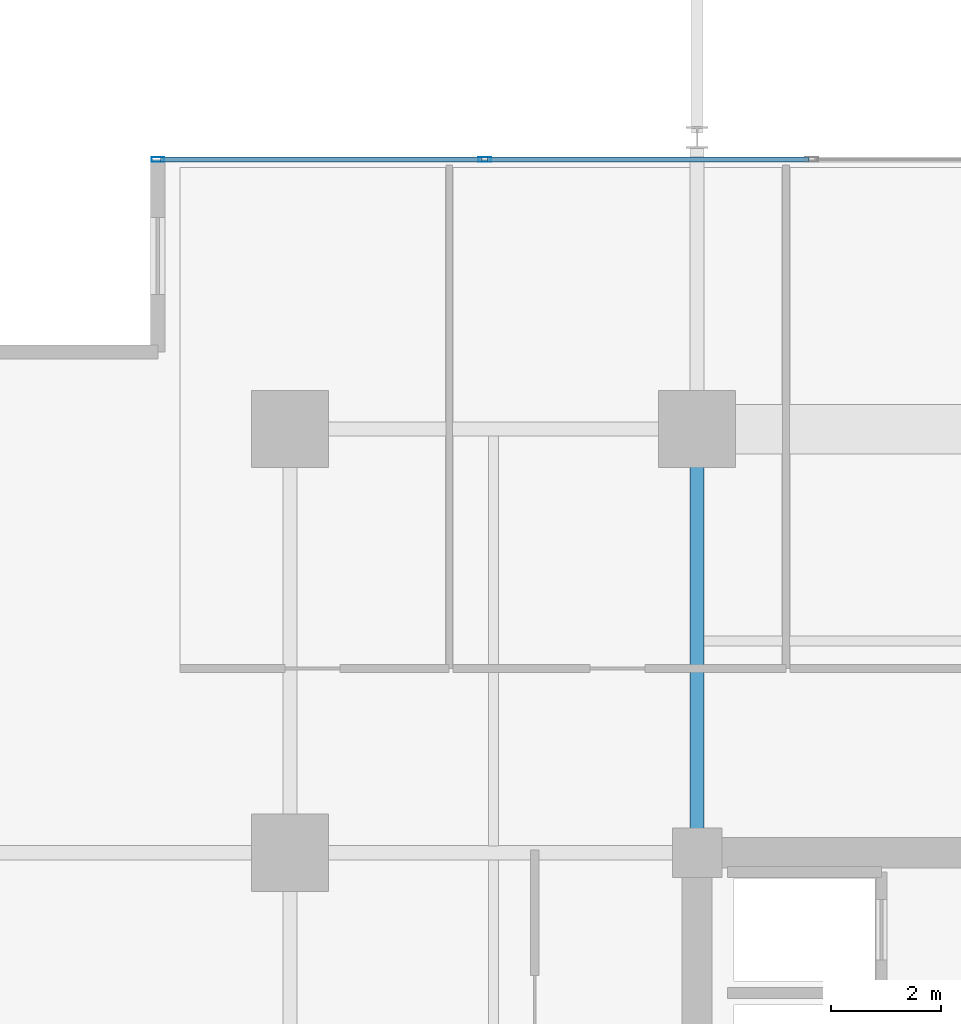
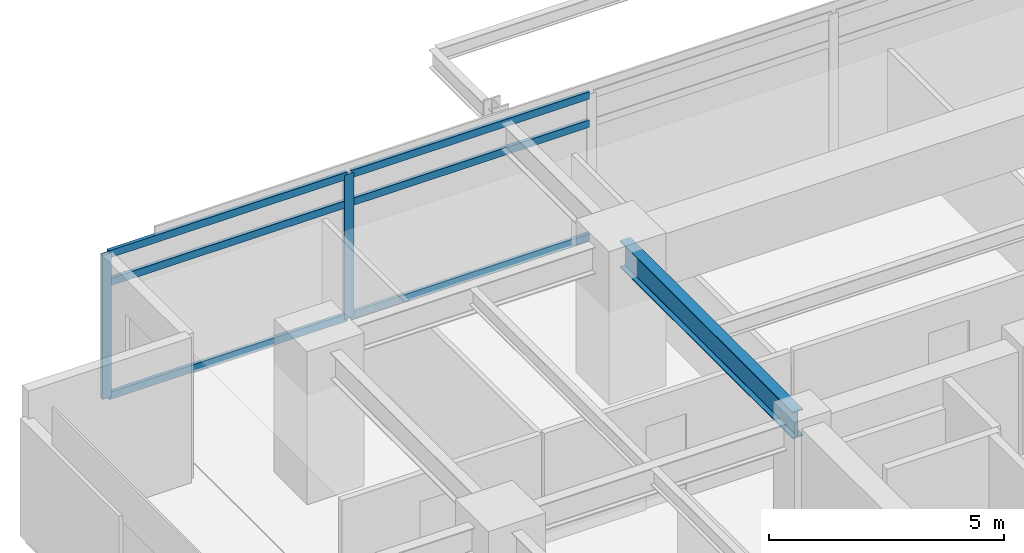
# One storey, part 8 of 21: 8 members, 1 beam, 1 element without a shape of its own.
"""IFC4 building model written with IfcOpenShell, lengths in metres."""

from ifc_helpers import new_model, si_unit, direction, frame, origin, origin_2d, place, context, subcontext, project, spatial, hollow_rectangle, i_section, extrude, material, material_profile, profile_set, type_object, element, aggregate, save


model = new_model("IFC4")

# Units and contexts
model_context = context("Model", 3, precision=1e-05, world=origin(), true_north=direction((0.0, 1.0)))
body_context = subcontext(model_context, "Body", "Model", "MODEL_VIEW")
ifc_project = project(units=[si_unit("LENGTHUNIT", "METRE"), si_unit("AREAUNIT", "SQUARE_METRE"), si_unit("VOLUMEUNIT", "CUBIC_METRE"), si_unit("PLANEANGLEUNIT", "RADIAN"), si_unit("MASSUNIT", "GRAM", prefix="KILO")], contexts=[model_context])

# Site, building, storey
site_placement = place(None, origin())
site = spatial("IfcSite", under=ifc_project, at=site_placement, CompositionType="ELEMENT")
building_placement = place(site_placement, origin())
building = spatial("IfcBuilding", under=site, at=building_placement, Name="Kovane Verandah Tower", CompositionType="ELEMENT")
storey_placement = place(building_placement, frame((0.0, 0.0, 205.199951171875)))
storey = spatial("IfcBuildingStorey", under=building, at=storey_placement, Name="L47", CompositionType="ELEMENT", Elevation=205.199951171875)

# Beam
ifc_material_1 = material(Name="Steel S355", Category="steel")
ifc_material_profile_1 = material_profile(ifc_material_1, i_section(OverallWidth=0.255859375, OverallDepth=0.69287109375, WebThickness=0.014404296875, FlangeThickness=0.023681640625, FilletRadius=0.01513671875, at=origin_2d()), Name="UB686x254x170")
ifc_profile_set_1 = profile_set([ifc_material_profile_1], Name="Steel S355")
beam_type = type_object("IfcBeamType", Name="BM-UB686x170", PredefinedType="BEAM", material=ifc_profile_set_1)
beam_placement = place(storey_placement, frame((29.0, 36.679931640625, 3.428466796875), z_axis=(0.0, 1.0, 0.0), x_axis=(-1.0, 0.0, 0.0)))
element("IfcBeam", 1, at=beam_placement, inside=storey, type_object=beam_type, Name="L47 Primary Tower Girder G-N1", PredefinedType="BEAM", context=body_context, shape_type="SweptSolid", body=[
    extrude(i_section(OverallWidth=0.255859375, OverallDepth=0.69287109375, WebThickness=0.014404296875, FlangeThickness=0.023681640625, FilletRadius=0.01513671875, at=origin_2d()), origin(), (0.0, 0.0, 1.0), 7.340087890625),
])

# Curtain wall, members
ifc_material_2 = material(Name="Champagne Anodised Aluminium Frame with Low-E Clear Laminated Glass", Category="aluminium")
curtain_wall_type = type_object("IfcCurtainWallType", Name="CW-SYS-03-MID", PredefinedType="NOTDEFINED", material=ifc_material_2)
curtain_wall_placement = place(storey_placement, origin())
curtain_wall = element("IfcCurtainWall", 2, at=curtain_wall_placement, inside=storey, type_object=curtain_wall_type, Name="L47 N Unitised Curtain Wall", PredefinedType="NOTDEFINED")
ifc_material_3 = material(Name="Champagne Anodised Aluminium 6063-T6", Category="aluminium")
ifc_material_profile_2 = material_profile(ifc_material_3, hollow_rectangle(XDim=0.0849609375, YDim=0.22998046875, WallThickness=0.00390625, at=origin_2d()), Name="AL85x230x4")
ifc_profile_set_2 = profile_set([ifc_material_profile_2], Name="Champagne Anodised Aluminium 6063-T6")
member_type_1 = type_object("IfcMemberType", Name="CW-MUL-85x230", PredefinedType="MULLION", material=ifc_profile_set_2)
member_1_placement = place(storey_placement, frame((25.142822265625, 49.10009765625, 0.02001953125), z_axis=(0.0, 0.0, 1.0), x_axis=(0.0, 1.0, 0.0)))
member_1 = element("IfcMember", 3, at=member_1_placement, type_object=member_type_1, Name="L47 N Unitised Curtain Wall Mullion 7", PredefinedType="MULLION", context=body_context, shape_type="SweptSolid", body=[
    extrude(hollow_rectangle(XDim=0.0849609375, YDim=0.22998046875, WallThickness=0.00390625, at=origin_2d()), origin(), (0.0, 0.0, 1.0), 3.735107421875),
])
member_2_placement = place(storey_placement, frame((19.199951171875, 49.10009765625, 0.02001953125), z_axis=(0.0, 0.0, 1.0), x_axis=(0.0, 1.0, 0.0)))
member_2 = element("IfcMember", 4, at=member_2_placement, type_object=member_type_1, Name="L47 N Unitised Curtain Wall Mullion 8", PredefinedType="MULLION", context=body_context, shape_type="SweptSolid", body=[
    extrude(hollow_rectangle(XDim=0.0849609375, YDim=0.22998046875, WallThickness=0.00390625, at=origin_2d()), origin(), (0.0, 0.0, 1.0), 3.735107421875),
])
ifc_material_profile_3 = material_profile(ifc_material_3, hollow_rectangle(XDim=0.0849609375, YDim=0.18994140625, WallThickness=0.00390625, at=origin_2d()), Name="AL85x190x4")
ifc_profile_set_3 = profile_set([ifc_material_profile_3], Name="Champagne Anodised Aluminium 6063-T6")
member_type_2 = type_object("IfcMemberType", Name="CW-TRN-85x190", PredefinedType="USERDEFINED", material=ifc_profile_set_3)
member_3_placement = place(storey_placement, frame((31.03564453125, 49.10009765625, 0.050048828125), z_axis=(-1.0, 0.0, 0.0), x_axis=(0.0, -1.0, 0.0)))
member_3 = element("IfcMember", 5, at=member_3_placement, type_object=member_type_2, Name="L47 N Unitised Curtain Wall Transom TB Bay 6", ObjectType="TRANSOM", PredefinedType="USERDEFINED", context=body_context, shape_type="SweptSolid", body=[
    extrude(hollow_rectangle(XDim=0.0849609375, YDim=0.18994140625, WallThickness=0.00390625, at=origin_2d()), origin(), (0.0, 0.0, 1.0), 5.8427734375),
])
member_4_placement = place(storey_placement, frame((31.03564453125, 49.10009765625, 2.9951171875), z_axis=(-1.0, 0.0, 0.0), x_axis=(0.0, -1.0, 0.0)))
member_4 = element("IfcMember", 6, at=member_4_placement, type_object=member_type_2, Name="L47 N Unitised Curtain Wall Transom TM Bay 6", ObjectType="TRANSOM", PredefinedType="USERDEFINED", context=body_context, shape_type="SweptSolid", body=[
    extrude(hollow_rectangle(XDim=0.0849609375, YDim=0.18994140625, WallThickness=0.00390625, at=origin_2d()), origin(), (0.0, 0.0, 1.0), 5.8427734375),
])
member_5_placement = place(storey_placement, frame((31.03564453125, 49.10009765625, 3.72509765625), z_axis=(-1.0, 0.0, 0.0), x_axis=(0.0, -1.0, 0.0)))
member_5 = element("IfcMember", 7, at=member_5_placement, type_object=member_type_2, Name="L47 N Unitised Curtain Wall Transom TT Bay 6", ObjectType="TRANSOM", PredefinedType="USERDEFINED", context=body_context, shape_type="SweptSolid", body=[
    extrude(hollow_rectangle(XDim=0.0849609375, YDim=0.18994140625, WallThickness=0.00390625, at=origin_2d()), origin(), (0.0, 0.0, 1.0), 5.8427734375),
])
member_6_placement = place(storey_placement, frame((25.093017578125, 49.10009765625, 0.050048828125), z_axis=(-1.0, 0.0, 0.0), x_axis=(0.0, -1.0, 0.0)))
member_6 = element("IfcMember", 8, at=member_6_placement, type_object=member_type_2, Name="L47 N Unitised Curtain Wall Transom TB Bay 7", ObjectType="TRANSOM", PredefinedType="USERDEFINED", context=body_context, shape_type="SweptSolid", body=[
    extrude(hollow_rectangle(XDim=0.0849609375, YDim=0.18994140625, WallThickness=0.00390625, at=origin_2d()), origin(), (0.0, 0.0, 1.0), 5.843017578125),
])
member_7_placement = place(storey_placement, frame((25.093017578125, 49.10009765625, 2.9951171875), z_axis=(-1.0, 0.0, 0.0), x_axis=(0.0, -1.0, 0.0)))
member_7 = element("IfcMember", 9, at=member_7_placement, type_object=member_type_2, Name="L47 N Unitised Curtain Wall Transom TM Bay 7", ObjectType="TRANSOM", PredefinedType="USERDEFINED", context=body_context, shape_type="SweptSolid", body=[
    extrude(hollow_rectangle(XDim=0.0849609375, YDim=0.18994140625, WallThickness=0.00390625, at=origin_2d()), origin(), (0.0, 0.0, 1.0), 5.843017578125),
])
member_8_placement = place(storey_placement, frame((25.093017578125, 49.10009765625, 3.72509765625), z_axis=(-1.0, 0.0, 0.0), x_axis=(0.0, -1.0, 0.0)))
member_8 = element("IfcMember", 10, at=member_8_placement, type_object=member_type_2, Name="L47 N Unitised Curtain Wall Transom TT Bay 7", ObjectType="TRANSOM", PredefinedType="USERDEFINED", context=body_context, shape_type="SweptSolid", body=[
    extrude(hollow_rectangle(XDim=0.0849609375, YDim=0.18994140625, WallThickness=0.00390625, at=origin_2d()), origin(), (0.0, 0.0, 1.0), 5.843017578125),
])
aggregate(curtain_wall, [member_1, member_2, member_3, member_4, member_5, member_6, member_7, member_8])

save(model, "model.ifc")
